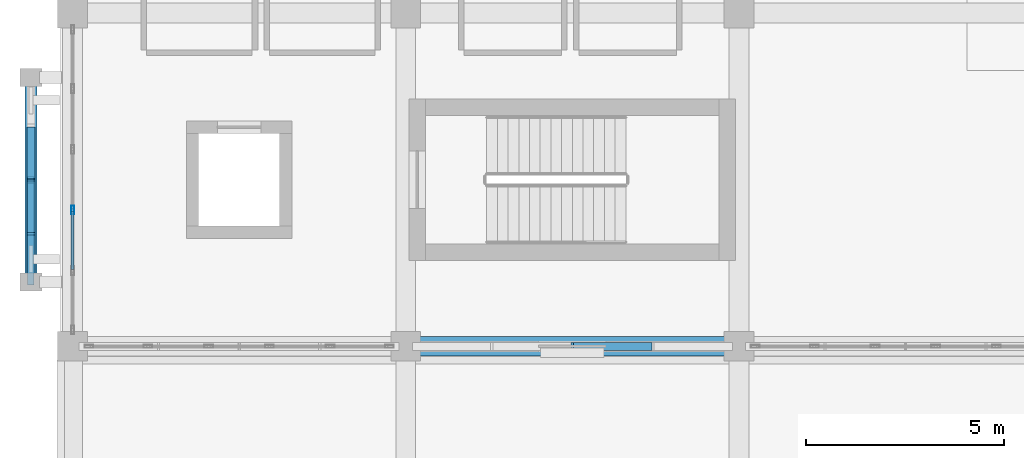
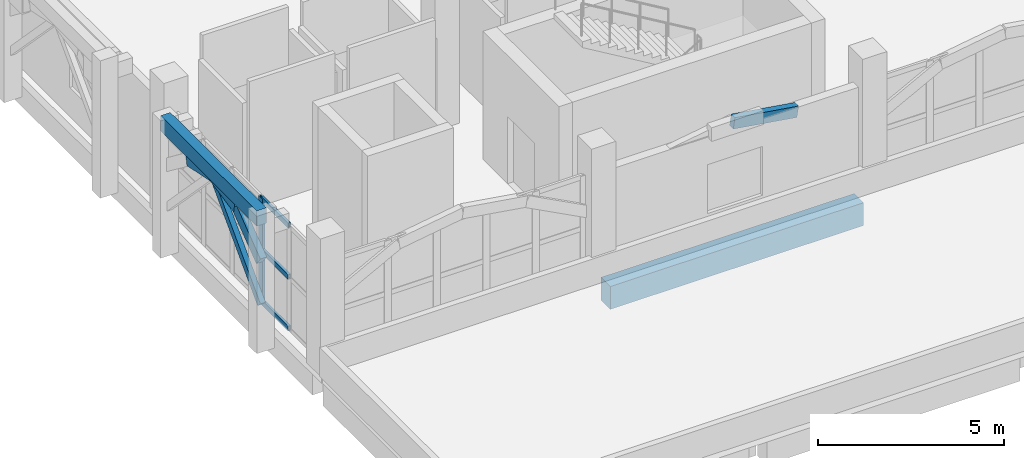
# One storey, part 3 of 30: 9 members, 2 beams, 1 element without a shape of its own.
"""IFC4 building model written with IfcOpenShell, lengths in metres."""

import ifcopenshell
import ifcopenshell.guid

model = None  # the IFC model being written
_history = None  # IfcOwnerHistory: only IFC2X3 demands one
_inside = {}  # id of a spatial element -> (the spatial element, [elements in it])
_under = {}  # id of a project, library or spatial element -> (it, [spatial elements below it])
_declared = {}  # id of a project -> (the project, [libraries it declares])
_typed = {}  # id of a type object -> (the type object, [elements of that type])
_made_of = {}  # id of a material, layer set ... -> (it, [elements and type objects made of it])


def new_model(schema):
    """Start an empty IFC model of exactly this schema.

    Asked for "IFC4X3", IfcOpenShell would pick the latest addendum, in which some entities
    have other attributes; the version numbers below select the first issue.
    IFC2X3 requires an IfcOwnerHistory on every rooted entity: one is made here for all.
    """
    global model, _history
    if schema == "IFC4X3":
        model = ifcopenshell.file(schema_version=(4, 3, 0, 0))
    else:
        model = ifcopenshell.file(schema=schema)
    _inside.clear()
    _under.clear()
    _declared.clear()
    _typed.clear()
    _made_of.clear()
    _history = None
    if model.schema == "IFC2X3":
        org = make("IfcOrganization", Name="unknown")
        user = make(
            "IfcPersonAndOrganization",
            ThePerson=make("IfcPerson", FamilyName="unknown"),
            TheOrganization=org,
        )
        app = make(
            "IfcApplication",
            ApplicationDeveloper=org,
            Version="unknown",
            ApplicationFullName="unknown",
            ApplicationIdentifier="unknown",
        )
        _history = make(
            "IfcOwnerHistory",
            OwningUser=user,
            OwningApplication=app,
            ChangeAction="ADDED",
            CreationDate=0,
        )
    return model


def make(cls, **values):
    """One entity of the class cls with the attributes given. An attribute that is None is left unset."""
    return model.create_entity(
        cls, **{name: value for name, value in values.items() if value is not None}
    )


def rooted(cls, **values):
    """An entity with a GlobalId (a new one), such as an element, a storey or a relation."""
    return make(cls, GlobalId=ifcopenshell.guid.new(), OwnerHistory=_history, **values)


def si_unit(unit_type, name, prefix=None):
    """IfcSIUnit, for example si_unit("LENGTHUNIT", "METRE", prefix="MILLI")."""
    return make("IfcSIUnit", UnitType=unit_type, Prefix=prefix, Name=name)


def assignment(units):
    """IfcUnitAssignment: the units of a project."""
    return None if units is None else make("IfcUnitAssignment", Units=units)


def point(xyz):
    """IfcCartesianPoint."""
    return None if xyz is None else make("IfcCartesianPoint", Coordinates=xyz)


def direction(xyz):
    """IfcDirection."""
    return None if xyz is None else make("IfcDirection", DirectionRatios=xyz)


def frame(location, z_axis=None, x_axis=None):
    """IfcAxis2Placement3D, a coordinate frame: its origin and axes. An axis left out is left unset."""
    return make(
        "IfcAxis2Placement3D",
        Location=point(location),
        Axis=direction(z_axis),
        RefDirection=direction(x_axis),
    )


def frame_2d(location, x_axis=None):
    """IfcAxis2Placement2D, a coordinate frame in the plane: its origin and x axis."""
    return make(
        "IfcAxis2Placement2D", Location=point(location), RefDirection=direction(x_axis)
    )


def origin():
    """The frame at (0, 0, 0) with its axes left unset."""
    return frame((0.0, 0.0, 0.0))


def origin_2d():
    """The frame at (0, 0) in the plane with its x axis left unset."""
    return frame_2d((0.0, 0.0))


def place(relative_to, where):
    """IfcLocalPlacement: puts the frame where relative to a parent placement (None: the world)."""
    return make(
        "IfcLocalPlacement", PlacementRelTo=relative_to, RelativePlacement=where
    )


def context(
    kind, dimensions, precision=None, world=None, true_north=None, identifier=None
):
    """IfcGeometricRepresentationContext, for example the 3D "Model" context."""
    return make(
        "IfcGeometricRepresentationContext",
        ContextIdentifier=identifier,
        ContextType=kind,
        CoordinateSpaceDimension=dimensions,
        Precision=precision,
        WorldCoordinateSystem=world,
        TrueNorth=true_north,
    )


def subcontext(parent, identifier, kind, view, scale=None):
    """IfcGeometricRepresentationSubContext, for example "Body" below "Model"."""
    return make(
        "IfcGeometricRepresentationSubContext",
        ContextIdentifier=identifier,
        ContextType=kind,
        ParentContext=parent,
        TargetScale=scale,
        TargetView=view,
    )


def project(units=None, contexts=None):
    """IfcProject with its units and contexts."""
    return rooted(
        "IfcProject",
        Name="project",
        RepresentationContexts=contexts,
        UnitsInContext=assignment(units),
    )


def spatial(cls, under=None, at=None, **own):
    """A site, building, storey or space (cls), placed at a placement, below another one or the project."""
    s = rooted(cls, ObjectPlacement=at, **own)
    if under is not None:
        _under.setdefault(under.id(), (under, []))[1].append(s)
    return s


def profile(cls, at=None, kind="AREA", **sizes):
    """A parametric profile (cls). Its sizes go by their IFC names, for example OverallWidth=200.0."""
    return make(cls, ProfileType=kind, Position=at, **sizes)


def rectangle(**sizes):
    """IfcRectangleProfileDef."""
    return profile("IfcRectangleProfileDef", **sizes)


def hollow_rectangle(**sizes):
    """IfcRectangleHollowProfileDef."""
    return profile("IfcRectangleHollowProfileDef", **sizes)


def extrude(swept, where, along, depth):
    """IfcExtrudedAreaSolid: the profile swept, set in the frame where, extruded along a direction by depth."""
    return make(
        "IfcExtrudedAreaSolid",
        SweptArea=swept,
        Position=where,
        ExtrudedDirection=direction(along),
        Depth=depth,
    )


def shape(context_of_items, identifier, shape_type, items):
    """IfcShapeRepresentation: the items that make up one representation, for example the "Body"."""
    return make(
        "IfcShapeRepresentation",
        ContextOfItems=context_of_items,
        RepresentationIdentifier=identifier,
        RepresentationType=shape_type,
        Items=items,
    )


def material(Name=None, Category=None):
    """IfcMaterial."""
    return make("IfcMaterial", Name=Name, Category=Category)


def layer(
    of_material, thickness, ventilated=None, Name=None, Category=None, Priority=None
):
    """IfcMaterialLayer: one layer of a wall or slab, of a material (None: an air gap)."""
    return make(
        "IfcMaterialLayer",
        Material=of_material,
        LayerThickness=thickness,
        IsVentilated=ventilated,
        Name=Name,
        Category=Category,
        Priority=Priority,
    )


def layer_set(layers, Name=None):
    """IfcMaterialLayerSet."""
    return make("IfcMaterialLayerSet", MaterialLayers=layers, LayerSetName=Name)


def material_profile(
    of_material, cross_section, Name=None, Category=None, Priority=None
):
    """IfcMaterialProfile: a cross section and its material."""
    return make(
        "IfcMaterialProfile",
        Name=Name,
        Material=of_material,
        Profile=cross_section,
        Priority=Priority,
        Category=Category,
    )


def profile_set(profiles, Name=None, composite=None):
    """IfcMaterialProfileSet."""
    return make(
        "IfcMaterialProfileSet",
        Name=Name,
        MaterialProfiles=profiles,
        CompositeProfile=composite,
    )


def made_of(thing, what):
    """Note that an element or type object is made of a material, layer set ...; save() writes the relation."""
    if what is not None:
        _made_of.setdefault(what.id(), (what, []))[1].append(thing)
    return thing


def type_object(cls, material=None, **own):
    """A type object (cls), such as IfcWallType, which elements share."""
    return made_of(rooted(cls, **own), material)


def element(
    cls,
    number,
    at=None,
    inside=None,
    cuts=None,
    type_object=None,
    material=None,
    context=None,
    identifier="Body",
    shape_type=None,
    held_by="IfcProductDefinitionShape",
    body=None,
    shapes=None,
    **own,
):
    """One element of the class cls, such as IfcWall. Its Tag is "e" and its number.

    at: its placement. inside: the storey or other place that contains it. cuts: it is an
    opening in that element (IfcRelVoidsElement). A single representation is given by context,
    identifier, shape_type and body (its items); several are given by shapes. held_by: the class
    of the entity that holds the representations. save() writes the other relations.
    """
    e = rooted(cls, Tag="e%d" % number, ObjectPlacement=at, **own)
    if body is not None:
        shapes = [shape(context, identifier, shape_type, body)]
    if shapes is not None:
        e.Representation = make(held_by, Representations=shapes)
    if inside is not None:
        _inside.setdefault(inside.id(), (inside, []))[1].append(e)
    if cuts is not None:
        rooted(
            "IfcRelVoidsElement", RelatingBuildingElement=cuts, RelatedOpeningElement=e
        )
    if type_object is not None:
        _typed.setdefault(type_object.id(), (type_object, []))[1].append(e)
    return made_of(e, material)


def aggregate(whole, parts):
    """IfcRelAggregates: a whole, such as a stair, and the parts it consists of."""
    return rooted("IfcRelAggregates", RelatingObject=whole, RelatedObjects=parts)


def save(model, path):
    """Write the relations noted so far, then the file.

    IfcRelAggregates (storeys below a building ...), IfcRelContainedInSpatialStructure (elements
    in a storey), IfcRelDefinesByType, IfcRelAssociatesMaterial and IfcRelDeclares: one each for
    every whole, place, type object, material and project.
    """
    for whole, parts in _under.values():
        aggregate(whole, parts)
    for where, things in _inside.values():
        rooted(
            "IfcRelContainedInSpatialStructure",
            RelatedElements=things,
            RelatingStructure=where,
        )
    for kind, things in _typed.values():
        rooted("IfcRelDefinesByType", RelatedObjects=things, RelatingType=kind)
    for what, things in _made_of.values():
        rooted("IfcRelAssociatesMaterial", RelatedObjects=things, RelatingMaterial=what)
    for by, libraries in _declared.values():
        rooted("IfcRelDeclares", RelatingContext=by, RelatedDefinitions=libraries)
    model.write(path)


model = new_model("IFC4")

# Units and contexts
model_context = context("Model", 3, precision=1e-05, world=origin(), true_north=direction((0.0, 1.0)))
body_context = subcontext(model_context, "Body", "Model", "MODEL_VIEW")
ifc_project = project(units=[si_unit("LENGTHUNIT", "METRE"), si_unit("AREAUNIT", "SQUARE_METRE"), si_unit("VOLUMEUNIT", "CUBIC_METRE"), si_unit("PLANEANGLEUNIT", "RADIAN"), si_unit("MASSUNIT", "GRAM", prefix="KILO")], contexts=[model_context])

# Site, building, storey
site_placement = place(None, origin())
site = spatial("IfcSite", under=ifc_project, at=site_placement, CompositionType="ELEMENT")
building_placement = place(site_placement, origin())
building = spatial("IfcBuilding", under=site, at=building_placement, Name="Xazarin Passage Department Store", CompositionType="ELEMENT")
storey_placement = place(building_placement, frame((0.0, 0.0, 23.39990234375)))
storey = spatial("IfcBuildingStorey", under=building, at=storey_placement, Name="L05", CompositionType="ELEMENT", Elevation=23.39990234375)

# Curtain wall, members
ifc_material_1 = material(Name="Bronze anodised aluminium", Category="aluminium")
ifc_layer = layer(ifc_material_1, 0.199951171875)
ifc_layer_set = layer_set([ifc_layer], Name="Bronze anodised aluminium")
curtain_wall_type = type_object("IfcCurtainWallType", Name="ARC-CW-VIT2", PredefinedType="NOTDEFINED", material=ifc_layer_set)
curtain_wall_placement = place(storey_placement, origin())
curtain_wall = element("IfcCurtainWall", 1, at=curtain_wall_placement, inside=storey, type_object=curtain_wall_type, Name="L05 V1 Curtain Wall 081", PredefinedType="NOTDEFINED")
ifc_material_profile_1 = material_profile(ifc_material_1, hollow_rectangle(XDim=0.074951171875, YDim=0.219970703125, WallThickness=0.0048828125, at=origin_2d()), Name="ALU 75x220")
ifc_profile_set_1 = profile_set([ifc_material_profile_1], Name="Bronze anodised aluminium")
member_type_1 = type_object("IfcMemberType", Name="ARC-CWM-75x220", PredefinedType="MULLION", material=ifc_profile_set_1)
member_1_placement = place(storey_placement, frame((0.0, 79.8349609375, 0.0), z_axis=(0.0, 0.0, 1.0), x_axis=(-1.0, 0.0, 0.0)))
member_1 = element("IfcMember", 2, at=member_1_placement, type_object=member_type_1, Name="CW2 mullion 3", PredefinedType="MULLION", context=body_context, shape_type="SweptSolid", body=[
    extrude(hollow_rectangle(XDim=0.074951171875, YDim=0.219970703125, WallThickness=0.0048828125, at=origin_2d()), origin(), (0.0, 0.0, 1.0), 3.4501953125),
])
ifc_material_profile_2 = material_profile(ifc_material_1, hollow_rectangle(XDim=0.074951171875, YDim=0.159912109375, WallThickness=0.00439453125, at=origin_2d()), Name="ALU 75x160")
ifc_profile_set_2 = profile_set([ifc_material_profile_2], Name="Bronze anodised aluminium")
member_type_2 = type_object("IfcMemberType", Name="ARC-CWT-75x160", PredefinedType="USERDEFINED", material=ifc_profile_set_2)
member_2_placement = place(storey_placement, frame((0.0, 78.342529296875, 0.03759765625), z_axis=(0.0, 1.0, 0.0), x_axis=(-1.0, 0.0, 0.0)))
member_2 = element("IfcMember", 3, at=member_2_placement, type_object=member_type_2, Name="CW2 transom 2.1", ObjectType="TRANSOM", PredefinedType="USERDEFINED", context=body_context, shape_type="SweptSolid", body=[
    extrude(hollow_rectangle(XDim=0.074951171875, YDim=0.159912109375, WallThickness=0.00439453125, at=origin_2d()), origin(), (0.0, 0.0, 1.0), 1.455078125),
])
member_3_placement = place(storey_placement, frame((0.0, 78.342529296875, 1.72509765625), z_axis=(0.0, 1.0, 0.0), x_axis=(-1.0, 0.0, 0.0)))
member_3 = element("IfcMember", 4, at=member_3_placement, type_object=member_type_2, Name="CW2 transom 2.2", ObjectType="TRANSOM", PredefinedType="USERDEFINED", context=body_context, shape_type="SweptSolid", body=[
    extrude(hollow_rectangle(XDim=0.074951171875, YDim=0.159912109375, WallThickness=0.00439453125, at=origin_2d()), origin(), (0.0, 0.0, 1.0), 1.455078125),
])
member_4_placement = place(storey_placement, frame((0.0, 78.342529296875, 3.41259765625), z_axis=(0.0, 1.0, 0.0), x_axis=(-1.0, 0.0, 0.0)))
member_4 = element("IfcMember", 5, at=member_4_placement, type_object=member_type_2, Name="CW2 transom 2.3", ObjectType="TRANSOM", PredefinedType="USERDEFINED", context=body_context, shape_type="SweptSolid", body=[
    extrude(hollow_rectangle(XDim=0.074951171875, YDim=0.159912109375, WallThickness=0.00439453125, at=origin_2d()), origin(), (0.0, 0.0, 1.0), 1.455078125),
])
aggregate(curtain_wall, [member_1, member_2, member_3, member_4])

# Beams
ifc_material_2 = material(Name="Concrete C35/45", Category="concrete")
ifc_material_profile_3 = material_profile(ifc_material_2, rectangle(XDim=0.300048828125, YDim=0.5, at=origin_2d()), Name="RC 300x500")
ifc_profile_set_3 = profile_set([ifc_material_profile_3], Name="Concrete C35/45")
beam_type_1 = type_object("IfcBeamType", Name="STR-BM-LN300x500", PredefinedType="LINTEL", material=ifc_profile_set_3)
beam_1_placement = place(storey_placement, frame((-1.050048828125, 78.02001953125, 4.25), z_axis=(0.0, 1.0, 0.0), x_axis=(-1.0, 0.0, 0.0)))
element("IfcBeam", 6, at=beam_1_placement, inside=storey, type_object=beam_type_1, Name="L05 V1 Colonnade Spandrel Beam 011", PredefinedType="LINTEL", context=body_context, shape_type="SweptSolid", body=[
    extrude(rectangle(XDim=0.300048828125, YDim=0.5, at=origin_2d()), origin(), (0.0, 0.0, 1.0), 5.159912109375),
])
ifc_material_profile_4 = material_profile(ifc_material_2, rectangle(XDim=0.5, YDim=0.75, at=origin_2d()), Name="RC 500x750")
ifc_profile_set_4 = profile_set([ifc_material_profile_4], Name="Concrete C35/45")
beam_type_2 = type_object("IfcBeamType", Name="STR-BM-SP500x750", PredefinedType="SPANDREL", material=ifc_profile_set_4)
beam_2_placement = place(storey_placement, frame((8.679931640625, 76.39990234375, -0.6748046875), z_axis=(1.0, 0.0, 0.0), x_axis=(0.0, 1.0, 0.0)))
element("IfcBeam", 7, at=beam_2_placement, inside=storey, type_object=beam_type_2, Name="L05 Grid Beam L/2-3", PredefinedType="SPANDREL", context=body_context, shape_type="SweptSolid", body=[
    extrude(rectangle(XDim=0.5, YDim=0.75, at=origin_2d()), origin(), (0.0, 0.0, 1.0), 7.840087890625),
])

# Members
ifc_material_3 = material(Name="Concrete C40/50", Category="concrete")
ifc_material_profile_5 = material_profile(ifc_material_3, rectangle(XDim=0.199951171875, YDim=0.360107421875, at=origin_2d()), Name="RC 200x360")
ifc_profile_set_5 = profile_set([ifc_material_profile_5], Name="Concrete C40/50")
member_type_3 = type_object("IfcMemberType", Name="STR-MEM-ARC360", PredefinedType="CHORD", material=ifc_profile_set_5)
member_5_placement = place(storey_placement, frame((-1.050048828125, 78.02001953125, 2.830078125), z_axis=(0.0, 0.79440903847, 0.607383140692), x_axis=(-1.0, 0.0, 0.0)))
element("IfcMember", 8, at=member_5_placement, inside=storey, type_object=member_type_3, Name="L05 V1 Pierced Lattice Curved Arch 011.1", PredefinedType="CHORD", context=body_context, shape_type="SweptSolid", body=[
    extrude(rectangle(XDim=0.199951171875, YDim=0.360107421875, at=origin_2d()), origin(), (0.0, 0.0, 1.0), 1.623779296875),
])
member_6_placement = place(storey_placement, frame((-1.050048828125, 79.31005859375, 3.81640625), z_axis=(0.0, 0.979744705887, 0.200250621188), x_axis=(-1.0, 0.0, 0.0)))
element("IfcMember", 9, at=member_6_placement, inside=storey, type_object=member_type_3, Name="L05 V1 Pierced Lattice Curved Arch 011.2", PredefinedType="CHORD", context=body_context, shape_type="SweptSolid", body=[
    extrude(rectangle(XDim=0.199951171875, YDim=0.360107421875, at=origin_2d()), origin(), (0.0, 0.0, 1.0), 1.316650390625),
])
member_7_placement = place(storey_placement, frame((-1.050048828125, 80.60009765625, 4.080078125), z_axis=(0.0, 0.979737268571, -0.2002870055), x_axis=(-1.0, 0.0, 0.0)))
element("IfcMember", 10, at=member_7_placement, inside=storey, type_object=member_type_3, Name="L05 V1 Pierced Lattice Curved Arch 011.3", PredefinedType="CHORD", context=body_context, shape_type="SweptSolid", body=[
    extrude(rectangle(XDim=0.199951171875, YDim=0.360107421875, at=origin_2d()), origin(), (0.0, 0.0, 1.0), 1.31640625),
])
member_8_placement = place(storey_placement, frame((12.60009765625, 76.39990234375, 3.580078125), z_axis=(0.987935652704, 0.0, -0.154864928623), x_axis=(0.0, 1.0, 0.0)))
element("IfcMember", 11, at=member_8_placement, inside=storey, type_object=member_type_3, Name="L05 V1 Upper Setback Pierced Arch 029.3", PredefinedType="CHORD", context=body_context, shape_type="SweptSolid", body=[
    extrude(rectangle(XDim=0.199951171875, YDim=0.360107421875, at=origin_2d()), origin(), (0.0, 0.0, 1.0), 1.9990234375),
])
ifc_material_profile_6 = material_profile(ifc_material_3, rectangle(XDim=0.159912109375, YDim=0.219970703125, at=origin_2d()), Name="RC 160x220")
ifc_profile_set_6 = profile_set([ifc_material_profile_6], Name="Concrete C40/50")
member_type_4 = type_object("IfcMemberType", Name="STR-MEM-TRC220", PredefinedType="CHORD", material=ifc_profile_set_6)
member_9_placement = place(storey_placement, frame((-1.050048828125, 80.60009765625, 4.080078125), z_axis=(0.0, -0.693558444435, -0.720400363793), x_axis=(1.0, 0.0, 0.0)))
element("IfcMember", 12, at=member_9_placement, inside=storey, type_object=member_type_4, Name="L05 V1 Upper Lattice Tracery Arch 011L", PredefinedType="CHORD", context=body_context, shape_type="SweptSolid", body=[
    extrude(rectangle(XDim=0.159912109375, YDim=0.219970703125, at=origin_2d()), origin(), (0.0, 0.0, 1.0), 3.719970703125),
])

save(model, "model.ifc")
